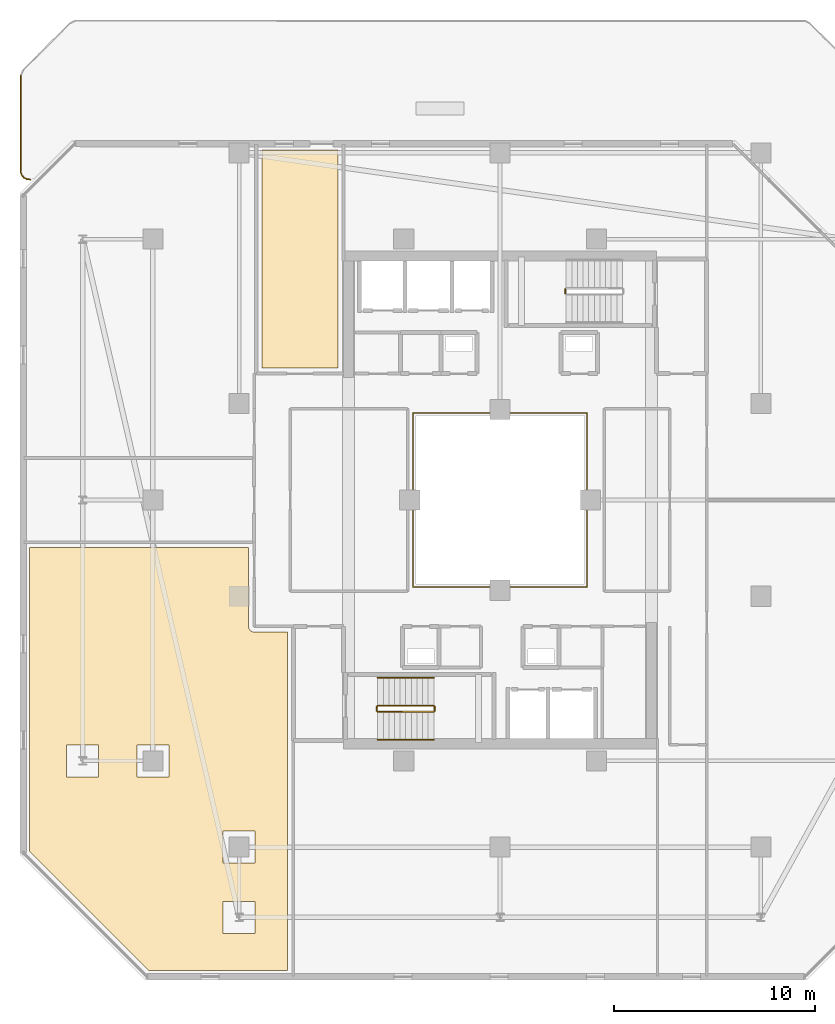
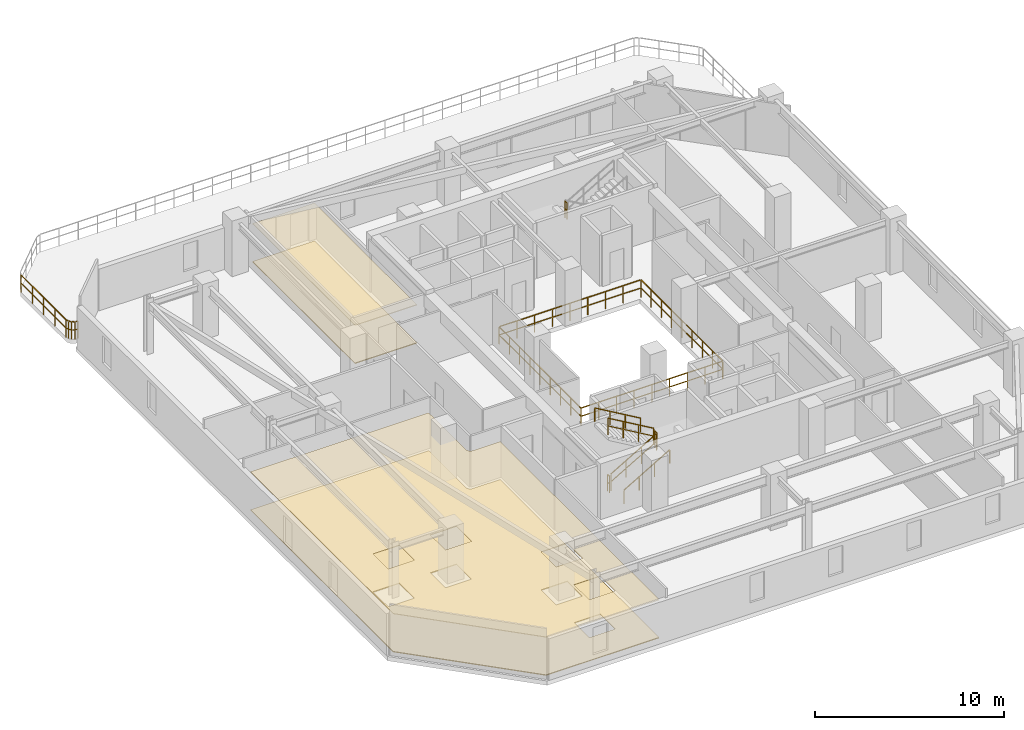
# One storey, part 25 of 29: 9 railings, 4 coverings.
"""IFC4 building model written with IfcOpenShell, lengths in metres."""

from ifc_helpers import new_model, si_unit, direction, frame, origin, origin_2d, place, context, subcontext, project, spatial, polyline, rectangle, outline, extrude, material, layer, layer_set, type_object, element, save


model = new_model("IFC4")

# Units and contexts
model_context = context("Model", 3, precision=1e-05, world=origin(), true_north=direction((0.0, 1.0)))
body_context = subcontext(model_context, "Body", "Model", "MODEL_VIEW")
ifc_project = project(units=[si_unit("LENGTHUNIT", "METRE"), si_unit("AREAUNIT", "SQUARE_METRE"), si_unit("VOLUMEUNIT", "CUBIC_METRE"), si_unit("PLANEANGLEUNIT", "RADIAN"), si_unit("MASSUNIT", "GRAM", prefix="KILO")], contexts=[model_context])

# Site, building, storey
site_placement = place(None, origin())
site = spatial("IfcSite", under=ifc_project, at=site_placement, CompositionType="ELEMENT")
building_placement = place(site_placement, origin())
building = spatial("IfcBuilding", under=site, at=building_placement, Name="Thornwick Lancets Civic Towers", CompositionType="ELEMENT")
storey_placement = place(building_placement, frame((0.0, 0.0, 229.5)))
storey = spatial("IfcBuildingStorey", under=building, at=storey_placement, Name="L61", CompositionType="ELEMENT", Elevation=229.5)

# Coverings
ifc_material_1 = material(Name="Perforated mineral acoustic ceiling tile")
ifc_layer_1 = layer(ifc_material_1, 0.0400390625, Name="Perforated mineral acoustic ceiling tile")
ifc_layer_set_1 = layer_set([ifc_layer_1], Name="Perforated mineral acoustic ceiling tile")
covering_type_1 = type_object("IfcCoveringType", Name="COV_CEIL_ACOUSTIC", PredefinedType="CEILING", material=ifc_layer_set_1)
covering_1_placement = place(storey_placement, frame((0.0, 0.0, 2.465087890625)))
element("IfcCovering", 1, at=covering_1_placement, inside=storey, type_object=covering_type_1, Name="L61 Tower A Diplomatic Conference Suite Ceiling", PredefinedType="CEILING", context=body_context, shape_type="SweptSolid", body=[
    extrude(outline(polyline([(13.6298828125, 33.580078125), (13.6298828125, 44.43994140625), (17.419921875, 44.43994140625), (17.419921875, 33.580078125), (13.6298828125, 33.580078125)])), origin(), (0.0, 0.0, 1.0), 0.039794921875),
])
covering_2_placement = place(storey_placement, frame((0.0, 0.0, 2.465087890625)))
element("IfcCovering", 2, at=covering_2_placement, inside=storey, type_object=covering_type_1, Name="L61 Tower A Ministry Directorate Office W1 Ceiling", PredefinedType="CEILING", context=body_context, shape_type="SweptSolid", body=[
    extrude(outline(polyline([(12.969970703125, 20.699951171875), (12.97119140625, 20.672607421875), (12.975341796875, 20.6455078125), (12.982177734375, 20.61865234375), (12.9912109375, 20.5927734375), (13.003173828125, 20.568115234375), (13.01708984375, 20.54443359375), (13.03369140625, 20.5224609375), (13.052001953125, 20.501953125), (13.072509765625, 20.483642578125), (13.094482421875, 20.46728515625), (13.117919921875, 20.453125), (13.142822265625, 20.44140625), (13.168701171875, 20.43212890625), (13.1953125, 20.42529296875), (13.22265625, 20.42138671875), (13.25, 20.419921875), (14.919921875, 20.419921875), (14.919921875, 3.56005859375), (7.990478515625, 3.56005859375), (2.06005859375, 9.490478515625), (2.06005859375, 24.6201171875), (12.969970703125, 24.6201171875), (12.969970703125, 20.699951171875)]), holes=[polyline([(11.699951171875, 8.89990234375), (13.300048828125, 8.89990234375), (13.300048828125, 10.5), (11.699951171875, 10.5), (11.699951171875, 8.89990234375)]), polyline([(7.39990234375, 13.199951171875), (9.0, 13.199951171875), (9.0, 14.800048828125), (7.39990234375, 14.800048828125), (7.39990234375, 13.199951171875)]), polyline([(11.699951171875, 5.39990234375), (13.300048828125, 5.39990234375), (13.300048828125, 7.0), (11.699951171875, 7.0), (11.699951171875, 5.39990234375)]), polyline([(3.89990234375, 13.199951171875), (5.5, 13.199951171875), (5.5, 14.800048828125), (3.89990234375, 14.800048828125), (3.89990234375, 13.199951171875)])]), origin(), (0.0, 0.0, 1.0), 0.039794921875),
])
ifc_material_2 = material(Name="Calcium-sulfate raised access floor panel")
ifc_layer_2 = layer(ifc_material_2, 0.050048828125, Name="Calcium-sulfate raised access floor panel")
ifc_layer_set_2 = layer_set([ifc_layer_2], Name="Calcium-sulfate raised access floor panel")
covering_type_2 = type_object("IfcCoveringType", Name="COV_FLOOR_RAISED", PredefinedType="FLOORING", material=ifc_layer_set_2)
covering_3_placement = place(storey_placement, origin())
element("IfcCovering", 3, at=covering_3_placement, inside=storey, type_object=covering_type_2, Name="L61 Tower A Diplomatic Conference Suite Raised Access Flooring", PredefinedType="FLOORING", context=body_context, shape_type="SweptSolid", body=[
    extrude(outline(polyline([(13.6298828125, 33.580078125), (13.6298828125, 44.43994140625), (17.419921875, 44.43994140625), (17.419921875, 33.580078125), (13.6298828125, 33.580078125)])), origin(), (0.0, 0.0, 1.0), 0.050048828125),
])
covering_4_placement = place(storey_placement, origin())
element("IfcCovering", 4, at=covering_4_placement, inside=storey, type_object=covering_type_2, Name="L61 Tower A Ministry Directorate Office W1 Raised Access Flooring", PredefinedType="FLOORING", context=body_context, shape_type="SweptSolid", body=[
    extrude(outline(polyline([(12.969970703125, 20.699951171875), (12.97119140625, 20.672607421875), (12.975341796875, 20.6455078125), (12.982177734375, 20.61865234375), (12.9912109375, 20.5927734375), (13.003173828125, 20.568115234375), (13.01708984375, 20.54443359375), (13.03369140625, 20.5224609375), (13.052001953125, 20.501953125), (13.072509765625, 20.483642578125), (13.094482421875, 20.46728515625), (13.117919921875, 20.453125), (13.142822265625, 20.44140625), (13.168701171875, 20.43212890625), (13.1953125, 20.42529296875), (13.22265625, 20.42138671875), (13.25, 20.419921875), (14.919921875, 20.419921875), (14.919921875, 3.56005859375), (7.990478515625, 3.56005859375), (2.06005859375, 9.490478515625), (2.06005859375, 24.6201171875), (12.969970703125, 24.6201171875), (12.969970703125, 20.699951171875)]), holes=[polyline([(11.699951171875, 8.89990234375), (13.300048828125, 8.89990234375), (13.300048828125, 10.5), (11.699951171875, 10.5), (11.699951171875, 8.89990234375)]), polyline([(7.39990234375, 13.199951171875), (9.0, 13.199951171875), (9.0, 14.800048828125), (7.39990234375, 14.800048828125), (7.39990234375, 13.199951171875)]), polyline([(11.699951171875, 5.39990234375), (13.300048828125, 5.39990234375), (13.300048828125, 7.0), (11.699951171875, 7.0), (11.699951171875, 5.39990234375)]), polyline([(3.89990234375, 13.199951171875), (5.5, 13.199951171875), (5.5, 14.800048828125), (3.89990234375, 14.800048828125), (3.89990234375, 13.199951171875)])]), origin(), (0.0, 0.0, 1.0), 0.050048828125),
])

# Railings
ifc_material_3 = material(Name="Laminated glass and bronze steel S355", Category="steel")
railing_type_1 = type_object("IfcRailingType", Name="RAIL_ATRIUM_GUARD", PredefinedType="BALUSTRADE", material=ifc_material_3)
railing_1_placement = place(storey_placement, frame((21.159912109375, 22.659912109375, 0.0)))
element("IfcRailing", 5, at=railing_1_placement, inside=storey, type_object=railing_type_1, Name="L61 Tower A Central Atrium Guard Balustrade", PredefinedType="BALUSTRADE", context=body_context, shape_type="SweptSolid", body=[
    extrude(rectangle(XDim=0.048095703125, YDim=0.048095703125, at=origin_2d()), frame((0.0, 0.0, 1.1259765625), z_axis=(1.0, 0.0, 0.0), x_axis=(0.0, 1.0, 0.0)), (0.0, 0.0, 1.0), 8.64892578125),
    extrude(rectangle(XDim=0.0419921875, YDim=0.0419921875, at=origin_2d()), frame((0.03759765625, 0.0, 0.597900390625), z_axis=(1.0, 0.0, 0.0), x_axis=(0.0, 1.0, 0.0)), (0.0, 0.0, 1.0), 1.010009765625),
    extrude(rectangle(XDim=0.0419921875, YDim=0.0419921875, at=origin_2d()), frame((1.12255859375, 0.0, 0.597900390625), z_axis=(1.0, 0.0, 0.0), x_axis=(0.0, 1.0, 0.0)), (0.0, 0.0, 1.0), 1.010009765625),
    extrude(rectangle(XDim=0.0419921875, YDim=0.0419921875, at=origin_2d()), frame((2.20751953125, 0.0, 0.597900390625), z_axis=(1.0, 0.0, 0.0), x_axis=(0.0, 1.0, 0.0)), (0.0, 0.0, 1.0), 1.010009765625),
    extrude(rectangle(XDim=0.0419921875, YDim=0.0419921875, at=origin_2d()), frame((3.29248046875, 0.0, 0.597900390625), z_axis=(1.0, 0.0, 0.0), x_axis=(0.0, 1.0, 0.0)), (0.0, 0.0, 1.0), 1.010009765625),
    extrude(rectangle(XDim=0.0419921875, YDim=0.0419921875, at=origin_2d()), frame((4.377685546875, 0.0, 0.597900390625), z_axis=(1.0, 0.0, 0.0), x_axis=(0.0, 1.0, 0.0)), (0.0, 0.0, 1.0), 1.010009765625),
    extrude(rectangle(XDim=0.0419921875, YDim=0.0419921875, at=origin_2d()), frame((5.462646484375, 0.0, 0.597900390625), z_axis=(1.0, 0.0, 0.0), x_axis=(0.0, 1.0, 0.0)), (0.0, 0.0, 1.0), 1.010009765625),
    extrude(rectangle(XDim=0.0419921875, YDim=0.0419921875, at=origin_2d()), frame((6.547607421875, 0.0, 0.597900390625), z_axis=(1.0, 0.0, 0.0), x_axis=(0.0, 1.0, 0.0)), (0.0, 0.0, 1.0), 1.010009765625),
    extrude(rectangle(XDim=0.0419921875, YDim=0.0419921875, at=origin_2d()), frame((7.632568359375, 0.0, 0.597900390625), z_axis=(1.0, 0.0, 0.0), x_axis=(0.0, 1.0, 0.0)), (0.0, 0.0, 1.0), 1.010009765625),
    extrude(rectangle(XDim=0.048095703125, YDim=0.048095703125, at=origin_2d()), frame((8.68017578125, 0.03125, 1.1259765625), z_axis=(0.0, 1.0, 0.0), x_axis=(-1.0, 0.0, 0.0)), (0.0, 0.0, 1.0), 8.61767578125),
    extrude(rectangle(XDim=0.0419921875, YDim=0.0419921875, at=origin_2d()), frame((8.68017578125, 0.03759765625, 0.597900390625), z_axis=(0.0, 1.0, 0.0), x_axis=(-1.0, 0.0, 0.0)), (0.0, 0.0, 1.0), 1.010009765625),
    extrude(rectangle(XDim=0.0419921875, YDim=0.0419921875, at=origin_2d()), frame((8.68017578125, 1.12255859375, 0.597900390625), z_axis=(0.0, 1.0, 0.0), x_axis=(-1.0, 0.0, 0.0)), (0.0, 0.0, 1.0), 1.010009765625),
    extrude(rectangle(XDim=0.0419921875, YDim=0.0419921875, at=origin_2d()), frame((8.68017578125, 2.20751953125, 0.597900390625), z_axis=(0.0, 1.0, 0.0), x_axis=(-1.0, 0.0, 0.0)), (0.0, 0.0, 1.0), 1.010009765625),
    extrude(rectangle(XDim=0.0419921875, YDim=0.0419921875, at=origin_2d()), frame((8.68017578125, 3.29248046875, 0.597900390625), z_axis=(0.0, 1.0, 0.0), x_axis=(-1.0, 0.0, 0.0)), (0.0, 0.0, 1.0), 1.010009765625),
    extrude(rectangle(XDim=0.0419921875, YDim=0.0419921875, at=origin_2d()), frame((8.68017578125, 4.377685546875, 0.597900390625), z_axis=(0.0, 1.0, 0.0), x_axis=(-1.0, 0.0, 0.0)), (0.0, 0.0, 1.0), 1.010009765625),
    extrude(rectangle(XDim=0.0419921875, YDim=0.0419921875, at=origin_2d()), frame((8.68017578125, 5.462646484375, 0.597900390625), z_axis=(0.0, 1.0, 0.0), x_axis=(-1.0, 0.0, 0.0)), (0.0, 0.0, 1.0), 1.010009765625),
    extrude(rectangle(XDim=0.0419921875, YDim=0.0419921875, at=origin_2d()), frame((8.68017578125, 6.547607421875, 0.597900390625), z_axis=(0.0, 1.0, 0.0), x_axis=(-1.0, 0.0, 0.0)), (0.0, 0.0, 1.0), 1.010009765625),
    extrude(rectangle(XDim=0.0419921875, YDim=0.0419921875, at=origin_2d()), frame((8.68017578125, 7.632568359375, 0.597900390625), z_axis=(0.0, 1.0, 0.0), x_axis=(-1.0, 0.0, 0.0)), (0.0, 0.0, 1.0), 1.010009765625),
    extrude(rectangle(XDim=0.048095703125, YDim=0.048095703125, at=origin_2d()), frame((8.64892578125, 8.68017578125, 1.1259765625), z_axis=(-1.0, 0.0, 0.0), x_axis=(0.0, -1.0, 0.0)), (0.0, 0.0, 1.0), 8.61767578125),
    extrude(rectangle(XDim=0.0419921875, YDim=0.0419921875, at=origin_2d()), frame((8.642578125, 8.68017578125, 0.597900390625), z_axis=(-1.0, 0.0, 0.0), x_axis=(0.0, -1.0, 0.0)), (0.0, 0.0, 1.0), 1.010009765625),
    extrude(rectangle(XDim=0.0419921875, YDim=0.0419921875, at=origin_2d()), frame((7.5576171875, 8.68017578125, 0.597900390625), z_axis=(-1.0, 0.0, 0.0), x_axis=(0.0, -1.0, 0.0)), (0.0, 0.0, 1.0), 1.010009765625),
    extrude(rectangle(XDim=0.0419921875, YDim=0.0419921875, at=origin_2d()), frame((6.47265625, 8.68017578125, 0.597900390625), z_axis=(-1.0, 0.0, 0.0), x_axis=(0.0, -1.0, 0.0)), (0.0, 0.0, 1.0), 1.010009765625),
    extrude(rectangle(XDim=0.0419921875, YDim=0.0419921875, at=origin_2d()), frame((5.3876953125, 8.68017578125, 0.597900390625), z_axis=(-1.0, 0.0, 0.0), x_axis=(0.0, -1.0, 0.0)), (0.0, 0.0, 1.0), 1.010009765625),
    extrude(rectangle(XDim=0.0419921875, YDim=0.0419921875, at=origin_2d()), frame((4.302490234375, 8.68017578125, 0.597900390625), z_axis=(-1.0, 0.0, 0.0), x_axis=(0.0, -1.0, 0.0)), (0.0, 0.0, 1.0), 1.010009765625),
    extrude(rectangle(XDim=0.0419921875, YDim=0.0419921875, at=origin_2d()), frame((3.217529296875, 8.68017578125, 0.597900390625), z_axis=(-1.0, 0.0, 0.0), x_axis=(0.0, -1.0, 0.0)), (0.0, 0.0, 1.0), 1.010009765625),
    extrude(rectangle(XDim=0.0419921875, YDim=0.0419921875, at=origin_2d()), frame((2.132568359375, 8.68017578125, 0.597900390625), z_axis=(-1.0, 0.0, 0.0), x_axis=(0.0, -1.0, 0.0)), (0.0, 0.0, 1.0), 1.010009765625),
    extrude(rectangle(XDim=0.0419921875, YDim=0.0419921875, at=origin_2d()), frame((1.047607421875, 8.68017578125, 0.597900390625), z_axis=(-1.0, 0.0, 0.0), x_axis=(0.0, -1.0, 0.0)), (0.0, 0.0, 1.0), 1.010009765625),
    extrude(rectangle(XDim=0.048095703125, YDim=0.048095703125, at=origin_2d()), frame((0.0, 8.64892578125, 1.1259765625), z_axis=(0.0, -1.0, 0.0), x_axis=(1.0, 0.0, 0.0)), (0.0, 0.0, 1.0), 8.64892578125),
    extrude(rectangle(XDim=0.0419921875, YDim=0.0419921875, at=origin_2d()), frame((0.0, 8.642578125, 0.597900390625), z_axis=(0.0, -1.0, 0.0), x_axis=(1.0, 0.0, 0.0)), (0.0, 0.0, 1.0), 1.010009765625),
    extrude(rectangle(XDim=0.0419921875, YDim=0.0419921875, at=origin_2d()), frame((0.0, 7.5576171875, 0.597900390625), z_axis=(0.0, -1.0, 0.0), x_axis=(1.0, 0.0, 0.0)), (0.0, 0.0, 1.0), 1.010009765625),
    extrude(rectangle(XDim=0.0419921875, YDim=0.0419921875, at=origin_2d()), frame((0.0, 6.47265625, 0.597900390625), z_axis=(0.0, -1.0, 0.0), x_axis=(1.0, 0.0, 0.0)), (0.0, 0.0, 1.0), 1.010009765625),
    extrude(rectangle(XDim=0.0419921875, YDim=0.0419921875, at=origin_2d()), frame((0.0, 5.3876953125, 0.597900390625), z_axis=(0.0, -1.0, 0.0), x_axis=(1.0, 0.0, 0.0)), (0.0, 0.0, 1.0), 1.010009765625),
    extrude(rectangle(XDim=0.0419921875, YDim=0.0419921875, at=origin_2d()), frame((0.0, 4.302490234375, 0.597900390625), z_axis=(0.0, -1.0, 0.0), x_axis=(1.0, 0.0, 0.0)), (0.0, 0.0, 1.0), 1.010009765625),
    extrude(rectangle(XDim=0.0419921875, YDim=0.0419921875, at=origin_2d()), frame((0.0, 3.217529296875, 0.597900390625), z_axis=(0.0, -1.0, 0.0), x_axis=(1.0, 0.0, 0.0)), (0.0, 0.0, 1.0), 1.010009765625),
    extrude(rectangle(XDim=0.0419921875, YDim=0.0419921875, at=origin_2d()), frame((0.0, 2.132568359375, 0.597900390625), z_axis=(0.0, -1.0, 0.0), x_axis=(1.0, 0.0, 0.0)), (0.0, 0.0, 1.0), 1.010009765625),
    extrude(rectangle(XDim=0.0419921875, YDim=0.0419921875, at=origin_2d()), frame((0.0, 1.047607421875, 0.597900390625), z_axis=(0.0, -1.0, 0.0), x_axis=(1.0, 0.0, 0.0)), (0.0, 0.0, 1.0), 1.010009765625),
    extrude(rectangle(XDim=0.0419921875, YDim=0.0419921875, at=origin_2d()), origin(), (0.0, 0.0, 1.0), 1.095703125),
    extrude(rectangle(XDim=0.0419921875, YDim=0.0419921875, at=origin_2d()), frame((1.0849609375, 0.0, 0.0)), (0.0, 0.0, 1.0), 1.095703125),
    extrude(rectangle(XDim=0.0419921875, YDim=0.0419921875, at=origin_2d()), frame((2.169921875, 0.0, 0.0)), (0.0, 0.0, 1.0), 1.095703125),
    extrude(rectangle(XDim=0.0419921875, YDim=0.0419921875, at=origin_2d()), frame((3.255126953125, 0.0, 0.0)), (0.0, 0.0, 1.0), 1.095703125),
    extrude(rectangle(XDim=0.0419921875, YDim=0.0419921875, at=origin_2d()), frame((4.340087890625, 0.0, 0.0)), (0.0, 0.0, 1.0), 1.095703125),
    extrude(rectangle(XDim=0.0419921875, YDim=0.0419921875, at=origin_2d()), frame((5.425048828125, 0.0, 0.0)), (0.0, 0.0, 1.0), 1.095703125),
    extrude(rectangle(XDim=0.0419921875, YDim=0.0419921875, at=origin_2d()), frame((6.51025390625, 0.0, 0.0)), (0.0, 0.0, 1.0), 1.095703125),
    extrude(rectangle(XDim=0.0419921875, YDim=0.0419921875, at=origin_2d()), frame((7.59521484375, 0.0, 0.0)), (0.0, 0.0, 1.0), 1.095703125),
    extrude(rectangle(XDim=0.0419921875, YDim=0.0419921875, at=origin_2d()), frame((8.68017578125, 0.0, 0.0)), (0.0, 0.0, 1.0), 1.095703125),
    extrude(rectangle(XDim=0.0419921875, YDim=0.0419921875, at=origin_2d()), frame((8.68017578125, 1.0849609375, 0.0)), (0.0, 0.0, 1.0), 1.095703125),
    extrude(rectangle(XDim=0.0419921875, YDim=0.0419921875, at=origin_2d()), frame((8.68017578125, 2.169921875, 0.0)), (0.0, 0.0, 1.0), 1.095703125),
    extrude(rectangle(XDim=0.0419921875, YDim=0.0419921875, at=origin_2d()), frame((8.68017578125, 3.255126953125, 0.0)), (0.0, 0.0, 1.0), 1.095703125),
    extrude(rectangle(XDim=0.0419921875, YDim=0.0419921875, at=origin_2d()), frame((8.68017578125, 4.340087890625, 0.0)), (0.0, 0.0, 1.0), 1.095703125),
    extrude(rectangle(XDim=0.0419921875, YDim=0.0419921875, at=origin_2d()), frame((8.68017578125, 5.425048828125, 0.0)), (0.0, 0.0, 1.0), 1.095703125),
    extrude(rectangle(XDim=0.0419921875, YDim=0.0419921875, at=origin_2d()), frame((8.68017578125, 6.51025390625, 0.0)), (0.0, 0.0, 1.0), 1.095703125),
    extrude(rectangle(XDim=0.0419921875, YDim=0.0419921875, at=origin_2d()), frame((8.68017578125, 7.59521484375, 0.0)), (0.0, 0.0, 1.0), 1.095703125),
    extrude(rectangle(XDim=0.0419921875, YDim=0.0419921875, at=origin_2d()), frame((8.68017578125, 8.68017578125, 0.0)), (0.0, 0.0, 1.0), 1.095703125),
    extrude(rectangle(XDim=0.0419921875, YDim=0.0419921875, at=origin_2d()), frame((7.59521484375, 8.68017578125, 0.0)), (0.0, 0.0, 1.0), 1.095703125),
    extrude(rectangle(XDim=0.0419921875, YDim=0.0419921875, at=origin_2d()), frame((6.51025390625, 8.68017578125, 0.0)), (0.0, 0.0, 1.0), 1.095703125),
    extrude(rectangle(XDim=0.0419921875, YDim=0.0419921875, at=origin_2d()), frame((5.425048828125, 8.68017578125, 0.0)), (0.0, 0.0, 1.0), 1.095703125),
    extrude(rectangle(XDim=0.0419921875, YDim=0.0419921875, at=origin_2d()), frame((4.340087890625, 8.68017578125, 0.0)), (0.0, 0.0, 1.0), 1.095703125),
    extrude(rectangle(XDim=0.0419921875, YDim=0.0419921875, at=origin_2d()), frame((3.255126953125, 8.68017578125, 0.0)), (0.0, 0.0, 1.0), 1.095703125),
    extrude(rectangle(XDim=0.0419921875, YDim=0.0419921875, at=origin_2d()), frame((2.169921875, 8.68017578125, 0.0)), (0.0, 0.0, 1.0), 1.095703125),
    extrude(rectangle(XDim=0.0419921875, YDim=0.0419921875, at=origin_2d()), frame((1.0849609375, 8.68017578125, 0.0)), (0.0, 0.0, 1.0), 1.095703125),
    extrude(rectangle(XDim=0.0419921875, YDim=0.0419921875, at=origin_2d()), frame((0.0, 8.68017578125, 0.0)), (0.0, 0.0, 1.0), 1.095703125),
    extrude(rectangle(XDim=0.0419921875, YDim=0.0419921875, at=origin_2d()), frame((0.0, 7.59521484375, 0.0)), (0.0, 0.0, 1.0), 1.095703125),
    extrude(rectangle(XDim=0.0419921875, YDim=0.0419921875, at=origin_2d()), frame((0.0, 6.51025390625, 0.0)), (0.0, 0.0, 1.0), 1.095703125),
    extrude(rectangle(XDim=0.0419921875, YDim=0.0419921875, at=origin_2d()), frame((0.0, 5.425048828125, 0.0)), (0.0, 0.0, 1.0), 1.095703125),
    extrude(rectangle(XDim=0.0419921875, YDim=0.0419921875, at=origin_2d()), frame((0.0, 4.340087890625, 0.0)), (0.0, 0.0, 1.0), 1.095703125),
    extrude(rectangle(XDim=0.0419921875, YDim=0.0419921875, at=origin_2d()), frame((0.0, 3.255126953125, 0.0)), (0.0, 0.0, 1.0), 1.095703125),
    extrude(rectangle(XDim=0.0419921875, YDim=0.0419921875, at=origin_2d()), frame((0.0, 2.169921875, 0.0)), (0.0, 0.0, 1.0), 1.095703125),
    extrude(rectangle(XDim=0.0419921875, YDim=0.0419921875, at=origin_2d()), frame((0.0, 1.0849609375, 0.0)), (0.0, 0.0, 1.0), 1.095703125),
])
ifc_material_4 = material(Name="Brushed stainless steel S355", Category="steel")
railing_type_2 = type_object("IfcRailingType", Name="RAIL_HANDRAIL", PredefinedType="HANDRAIL", material=ifc_material_4)
railing_2_placement = place(storey_placement, frame((19.39990234375, 15.050048828125, 0.16357421875)))
element("IfcRailing", 6, at=railing_2_placement, inside=storey, type_object=railing_type_2, Name="L61 ST-A1 stair handrail 1", PredefinedType="HANDRAIL", context=body_context, shape_type="SweptSolid", body=[
    extrude(rectangle(XDim=0.048095703125, YDim=0.048095703125, at=origin_2d()), frame((0.0, 0.0, 0.8857421875), z_axis=(0.863360870873, 0.0, 0.504586966384), x_axis=(0.0, 1.0, 0.0)), (0.0, 0.0, 1.0), 3.2431640625),
    extrude(rectangle(XDim=0.0419921875, YDim=0.0419921875, at=origin_2d()), origin(), (0.0, 0.0, 1.0), 0.855712890625),
    extrude(rectangle(XDim=0.0419921875, YDim=0.0419921875, at=origin_2d()), frame((0.933349609375, 0.0, 0.54541015625)), (0.0, 0.0, 1.0), 0.855712890625),
    extrude(rectangle(XDim=0.0419921875, YDim=0.0419921875, at=origin_2d()), frame((1.86669921875, 0.0, 1.091064453125)), (0.0, 0.0, 1.0), 0.855712890625),
    extrude(rectangle(XDim=0.0419921875, YDim=0.0419921875, at=origin_2d()), frame((2.800048828125, 0.0, 1.636474609375)), (0.0, 0.0, 1.0), 0.855712890625),
])
railing_3_placement = place(storey_placement, frame((22.199951171875, 18.14990234375, 1.963623046875)))
element("IfcRailing", 7, at=railing_3_placement, inside=storey, type_object=railing_type_2, Name="L61 ST-A1 stair handrail 2", PredefinedType="HANDRAIL", context=body_context, shape_type="SweptSolid", body=[
    extrude(rectangle(XDim=0.048095703125, YDim=0.048095703125, at=origin_2d()), frame((0.0, 0.0, 0.8857421875), z_axis=(-0.863360870873, 0.0, 0.504586966384), x_axis=(0.0, -1.0, 0.0)), (0.0, 0.0, 1.0), 3.2431640625),
    extrude(rectangle(XDim=0.0419921875, YDim=0.0419921875, at=origin_2d()), origin(), (0.0, 0.0, 1.0), 0.855712890625),
    extrude(rectangle(XDim=0.0419921875, YDim=0.0419921875, at=origin_2d()), frame((-0.933349609375, 0.0, 0.54541015625)), (0.0, 0.0, 1.0), 0.855712890625),
    extrude(rectangle(XDim=0.0419921875, YDim=0.0419921875, at=origin_2d()), frame((-1.86669921875, 0.0, 1.091064453125)), (0.0, 0.0, 1.0), 0.855712890625),
    extrude(rectangle(XDim=0.0419921875, YDim=0.0419921875, at=origin_2d()), frame((-2.800048828125, 0.0, 1.636474609375)), (0.0, 0.0, 1.0), 0.855712890625),
])
ifc_material_5 = material(Name="Steel S355JR", Category="steel")
railing_type_3 = type_object("IfcRailingType", Name="RAIL_STAIR_GUARD", PredefinedType="GUARDRAIL", material=ifc_material_5)
railing_4_placement = place(storey_placement, frame((19.39990234375, 16.449951171875, 0.16357421875)))
element("IfcRailing", 8, at=railing_4_placement, inside=storey, type_object=railing_type_3, Name="L61 ST-A1 stair guard 1", PredefinedType="GUARDRAIL", context=body_context, shape_type="SweptSolid", body=[
    extrude(rectangle(XDim=0.048095703125, YDim=0.048095703125, at=origin_2d()), frame((0.0, 0.0, 1.076171875), z_axis=(0.863360870873, 0.0, 0.504586966384), x_axis=(0.0, 1.0, 0.0)), (0.0, 0.0, 1.0), 3.2431640625),
    extrude(rectangle(XDim=0.0419921875, YDim=0.0419921875, at=origin_2d()), frame((0.032470703125, 0.0, 0.591064453125), z_axis=(0.863360870873, 0.0, 0.504586966384), x_axis=(0.0, 1.0, 0.0)), (0.0, 0.0, 1.0), 1.006103515625),
    extrude(rectangle(XDim=0.0419921875, YDim=0.0419921875, at=origin_2d()), frame((0.9658203125, 0.0, 1.136474609375), z_axis=(0.863360870873, 0.0, 0.504586966384), x_axis=(0.0, 1.0, 0.0)), (0.0, 0.0, 1.0), 1.006103515625),
    extrude(rectangle(XDim=0.0419921875, YDim=0.0419921875, at=origin_2d()), frame((1.899169921875, 0.0, 1.681884765625), z_axis=(0.863360870873, 0.0, 0.504586966384), x_axis=(0.0, 1.0, 0.0)), (0.0, 0.0, 1.0), 1.006103515625),
    extrude(rectangle(XDim=0.0419921875, YDim=0.0419921875, at=origin_2d()), origin(), (0.0, 0.0, 1.0), 1.0458984375),
    extrude(rectangle(XDim=0.0419921875, YDim=0.0419921875, at=origin_2d()), frame((0.933349609375, 0.0, 0.54541015625)), (0.0, 0.0, 1.0), 1.0458984375),
    extrude(rectangle(XDim=0.0419921875, YDim=0.0419921875, at=origin_2d()), frame((1.86669921875, 0.0, 1.091064453125)), (0.0, 0.0, 1.0), 1.0458984375),
    extrude(rectangle(XDim=0.0419921875, YDim=0.0419921875, at=origin_2d()), frame((2.800048828125, 0.0, 1.636474609375)), (0.0, 0.0, 1.0), 1.0458984375),
])
railing_5_placement = place(storey_placement, frame((22.25, 16.5, 1.800048828125)))
element("IfcRailing", 9, at=railing_5_placement, inside=storey, type_object=railing_type_3, Name="L61 ST-A1 stair guard 2", PredefinedType="GUARDRAIL", context=body_context, shape_type="SweptSolid", body=[
    extrude(rectangle(XDim=0.048095703125, YDim=0.048095703125, at=origin_2d()), frame((0.0, 0.0, 1.076171875), z_axis=(0.0, 1.0, 0.0), x_axis=(-1.0, 0.0, 0.0)), (0.0, 0.0, 1.0), 0.199951171875),
    extrude(rectangle(XDim=0.0419921875, YDim=0.0419921875, at=origin_2d()), frame((0.0, 0.03759765625, 0.572021484375), z_axis=(0.0, 1.0, 0.0), x_axis=(-1.0, 0.0, 0.0)), (0.0, 0.0, 1.0), 0.125),
    extrude(rectangle(XDim=0.0419921875, YDim=0.0419921875, at=origin_2d()), origin(), (0.0, 0.0, 1.0), 1.0458984375),
    extrude(rectangle(XDim=0.0419921875, YDim=0.0419921875, at=origin_2d()), frame((0.0, 0.199951171875, 0.0)), (0.0, 0.0, 1.0), 1.0458984375),
])
railing_6_placement = place(storey_placement, frame((22.199951171875, 16.75, 1.963623046875)))
element("IfcRailing", 10, at=railing_6_placement, inside=storey, type_object=railing_type_3, Name="L61 ST-A1 stair guard 3", PredefinedType="GUARDRAIL", context=body_context, shape_type="SweptSolid", body=[
    extrude(rectangle(XDim=0.048095703125, YDim=0.048095703125, at=origin_2d()), frame((0.0, 0.0, 1.076171875), z_axis=(-0.863360870873, 0.0, 0.504586966384), x_axis=(0.0, -1.0, 0.0)), (0.0, 0.0, 1.0), 3.2431640625),
    extrude(rectangle(XDim=0.0419921875, YDim=0.0419921875, at=origin_2d()), frame((-0.032470703125, 0.0, 0.591064453125), z_axis=(-0.863360870873, 0.0, 0.504586966384), x_axis=(0.0, -1.0, 0.0)), (0.0, 0.0, 1.0), 1.006103515625),
    extrude(rectangle(XDim=0.0419921875, YDim=0.0419921875, at=origin_2d()), frame((-0.9658203125, 0.0, 1.136474609375), z_axis=(-0.863360870873, 0.0, 0.504586966384), x_axis=(0.0, -1.0, 0.0)), (0.0, 0.0, 1.0), 1.006103515625),
    extrude(rectangle(XDim=0.0419921875, YDim=0.0419921875, at=origin_2d()), frame((-1.899169921875, 0.0, 1.681884765625), z_axis=(-0.863360870873, 0.0, 0.504586966384), x_axis=(0.0, -1.0, 0.0)), (0.0, 0.0, 1.0), 1.006103515625),
    extrude(rectangle(XDim=0.0419921875, YDim=0.0419921875, at=origin_2d()), origin(), (0.0, 0.0, 1.0), 1.0458984375),
    extrude(rectangle(XDim=0.0419921875, YDim=0.0419921875, at=origin_2d()), frame((-0.933349609375, 0.0, 0.54541015625)), (0.0, 0.0, 1.0), 1.0458984375),
    extrude(rectangle(XDim=0.0419921875, YDim=0.0419921875, at=origin_2d()), frame((-1.86669921875, 0.0, 1.091064453125)), (0.0, 0.0, 1.0), 1.0458984375),
    extrude(rectangle(XDim=0.0419921875, YDim=0.0419921875, at=origin_2d()), frame((-2.800048828125, 0.0, 1.636474609375)), (0.0, 0.0, 1.0), 1.0458984375),
])
railing_7_placement = place(storey_placement, frame((19.35009765625, 16.5, 0.0)))
element("IfcRailing", 11, at=railing_7_placement, inside=storey, type_object=railing_type_3, Name="L61 ST-A1 stair guard 4", PredefinedType="GUARDRAIL", context=body_context, shape_type="SweptSolid", body=[
    extrude(rectangle(XDim=0.048095703125, YDim=0.048095703125, at=origin_2d()), frame((0.0, 0.0, 1.076171875), z_axis=(0.0, 1.0, 0.0), x_axis=(-1.0, 0.0, 0.0)), (0.0, 0.0, 1.0), 0.199951171875),
    extrude(rectangle(XDim=0.0419921875, YDim=0.0419921875, at=origin_2d()), frame((0.0, 0.03759765625, 0.572021484375), z_axis=(0.0, 1.0, 0.0), x_axis=(-1.0, 0.0, 0.0)), (0.0, 0.0, 1.0), 0.125),
    extrude(rectangle(XDim=0.0419921875, YDim=0.0419921875, at=origin_2d()), origin(), (0.0, 0.0, 1.0), 1.0458984375),
    extrude(rectangle(XDim=0.0419921875, YDim=0.0419921875, at=origin_2d()), frame((0.0, 0.199951171875, 0.0)), (0.0, 0.0, 1.0), 1.0458984375),
])
railing_8_placement = place(storey_placement, frame((28.75, 37.5, 1.800048828125)))
element("IfcRailing", 12, at=railing_8_placement, inside=storey, type_object=railing_type_3, Name="L61 ST-A2 stair guard 2", PredefinedType="GUARDRAIL", context=body_context, shape_type="SweptSolid", body=[
    extrude(rectangle(XDim=0.048095703125, YDim=0.048095703125, at=origin_2d()), frame((0.0, 0.0, 1.076171875), z_axis=(0.0, -1.0, 0.0), x_axis=(1.0, 0.0, 0.0)), (0.0, 0.0, 1.0), 0.199951171875),
    extrude(rectangle(XDim=0.0419921875, YDim=0.0419921875, at=origin_2d()), frame((0.0, -0.03759765625, 0.572021484375), z_axis=(0.0, -1.0, 0.0), x_axis=(1.0, 0.0, 0.0)), (0.0, 0.0, 1.0), 0.125),
    extrude(rectangle(XDim=0.0419921875, YDim=0.0419921875, at=origin_2d()), origin(), (0.0, 0.0, 1.0), 1.0458984375),
    extrude(rectangle(XDim=0.0419921875, YDim=0.0419921875, at=origin_2d()), frame((0.0, -0.199951171875, 0.0)), (0.0, 0.0, 1.0), 1.0458984375),
])
ifc_material_6 = material(Name="Terracotta-capped laminated glass balustrade S355", Category="masonry")
railing_type_4 = type_object("IfcRailingType", Name="RAIL_TERR_GUARD", PredefinedType="GUARDRAIL", material=ifc_material_6)
railing_9_placement = place(storey_placement, frame((2.09765625, 42.96728515625, 0.0)))
element("IfcRailing", 13, at=railing_9_placement, inside=storey, type_object=railing_type_4, Name="L61 Tower A Sky-Garden Guard 1 Part 2", PredefinedType="GUARDRAIL", context=body_context, shape_type="SweptSolid", body=[
    extrude(rectangle(XDim=0.048095703125, YDim=0.048095703125, at=origin_2d()), frame((0.0, 0.0, 1.1259765625), z_axis=(-0.99556264392, 0.094101126617, 0.0), x_axis=(-0.094101126617, -0.99556264392, 0.0)), (0.0, 0.0, 1.0), 0.147705078125),
    extrude(rectangle(XDim=0.0419921875, YDim=0.0419921875, at=origin_2d()), frame((-0.037353515625, 0.00341796875, 0.597900390625), z_axis=(-0.99556264392, 0.094101126617, 0.0), x_axis=(-0.094101126617, -0.99556264392, 0.0)), (0.0, 0.0, 1.0), 0.10400390625),
    extrude(rectangle(XDim=0.048095703125, YDim=0.048095703125, at=origin_2d()), frame((-0.205810546875, 0.031494140625, 1.1259765625), z_axis=(-0.882160586654, 0.470948722639, 0.0), x_axis=(-0.470948722639, -0.882160586654, 0.0)), (0.0, 0.0, 1.0), 0.11328125),
    extrude(rectangle(XDim=0.0419921875, YDim=0.0419921875, at=origin_2d()), frame((-0.211181640625, 0.034423828125, 0.597900390625), z_axis=(-0.882160586654, 0.470948722639, 0.0), x_axis=(-0.470948722639, -0.882160586654, 0.0)), (0.0, 0.0, 1.0), 0.100830078125),
    extrude(rectangle(XDim=0.048095703125, YDim=0.048095703125, at=origin_2d()), frame((-0.35302734375, 0.123779296875, 1.1259765625), z_axis=(-0.634146109242, 0.773213238462, 0.0), x_axis=(-0.773213238462, -0.634146109242, 0.0)), (0.0, 0.0, 1.0), 0.113037109375),
    extrude(rectangle(XDim=0.0419921875, YDim=0.0419921875, at=origin_2d()), frame((-0.35693359375, 0.128662109375, 0.597900390625), z_axis=(-0.634146109242, 0.773213238462, 0.0), x_axis=(-0.773213238462, -0.634146109242, 0.0)), (0.0, 0.0, 1.0), 0.1005859375),
    extrude(rectangle(XDim=0.048095703125, YDim=0.048095703125, at=origin_2d()), frame((-0.45361328125, 0.265380859375, 1.1259765625), z_axis=(-0.289389501276, 0.957211427299, 0.0), x_axis=(-0.957211427299, -0.289389501276, 0.0)), (0.0, 0.0, 1.0), 0.113037109375),
    extrude(rectangle(XDim=0.0419921875, YDim=0.0419921875, at=origin_2d()), frame((-0.455322265625, 0.271240234375, 0.597900390625), z_axis=(-0.289389501276, 0.957211427299, 0.0), x_axis=(-0.957211427299, -0.289389501276, 0.0)), (0.0, 0.0, 1.0), 0.1005859375),
    extrude(rectangle(XDim=0.048095703125, YDim=0.048095703125, at=origin_2d()), frame((-0.495361328125, 0.4345703125, 1.1259765625), z_axis=(0.0, 1.0, 0.0), x_axis=(-1.0, 0.0, 0.0)), (0.0, 0.0, 1.0), 4.755859375),
    extrude(rectangle(XDim=0.0419921875, YDim=0.0419921875, at=origin_2d()), frame((-0.495361328125, 0.44091796875, 0.597900390625), z_axis=(0.0, 1.0, 0.0), x_axis=(-1.0, 0.0, 0.0)), (0.0, 0.0, 1.0), 1.121826171875),
    extrude(rectangle(XDim=0.0419921875, YDim=0.0419921875, at=origin_2d()), frame((-0.495361328125, 1.6376953125, 0.597900390625), z_axis=(0.0, 1.0, 0.0), x_axis=(-1.0, 0.0, 0.0)), (0.0, 0.0, 1.0), 1.121826171875),
    extrude(rectangle(XDim=0.0419921875, YDim=0.0419921875, at=origin_2d()), frame((-0.495361328125, 2.83447265625, 0.597900390625), z_axis=(0.0, 1.0, 0.0), x_axis=(-1.0, 0.0, 0.0)), (0.0, 0.0, 1.0), 1.121826171875),
    extrude(rectangle(XDim=0.0419921875, YDim=0.0419921875, at=origin_2d()), frame((-0.495361328125, 4.03125, 0.597900390625), z_axis=(0.0, 1.0, 0.0), x_axis=(-1.0, 0.0, 0.0)), (0.0, 0.0, 1.0), 1.121826171875),
    extrude(rectangle(XDim=0.0419921875, YDim=0.0419921875, at=origin_2d()), origin(), (0.0, 0.0, 1.0), 1.095703125),
    extrude(rectangle(XDim=0.0419921875, YDim=0.0419921875, at=origin_2d()), frame((-0.17822265625, 0.016845703125, 0.0)), (0.0, 0.0, 1.0), 1.095703125),
    extrude(rectangle(XDim=0.0419921875, YDim=0.0419921875, at=origin_2d()), frame((-0.333251953125, 0.099609375, 0.0)), (0.0, 0.0, 1.0), 1.095703125),
    extrude(rectangle(XDim=0.0419921875, YDim=0.0419921875, at=origin_2d()), frame((-0.444580078125, 0.2353515625, 0.0)), (0.0, 0.0, 1.0), 1.095703125),
    extrude(rectangle(XDim=0.0419921875, YDim=0.0419921875, at=origin_2d()), frame((-0.495361328125, 0.4033203125, 0.0)), (0.0, 0.0, 1.0), 1.095703125),
    extrude(rectangle(XDim=0.0419921875, YDim=0.0419921875, at=origin_2d()), frame((-0.495361328125, 1.60009765625, 0.0)), (0.0, 0.0, 1.0), 1.095703125),
    extrude(rectangle(XDim=0.0419921875, YDim=0.0419921875, at=origin_2d()), frame((-0.495361328125, 2.796875, 0.0)), (0.0, 0.0, 1.0), 1.095703125),
    extrude(rectangle(XDim=0.0419921875, YDim=0.0419921875, at=origin_2d()), frame((-0.495361328125, 3.99365234375, 0.0)), (0.0, 0.0, 1.0), 1.095703125),
    extrude(rectangle(XDim=0.0419921875, YDim=0.0419921875, at=origin_2d()), frame((-0.495361328125, 5.1904296875, 0.0)), (0.0, 0.0, 1.0), 1.095703125),
])

save(model, "model.ifc")
